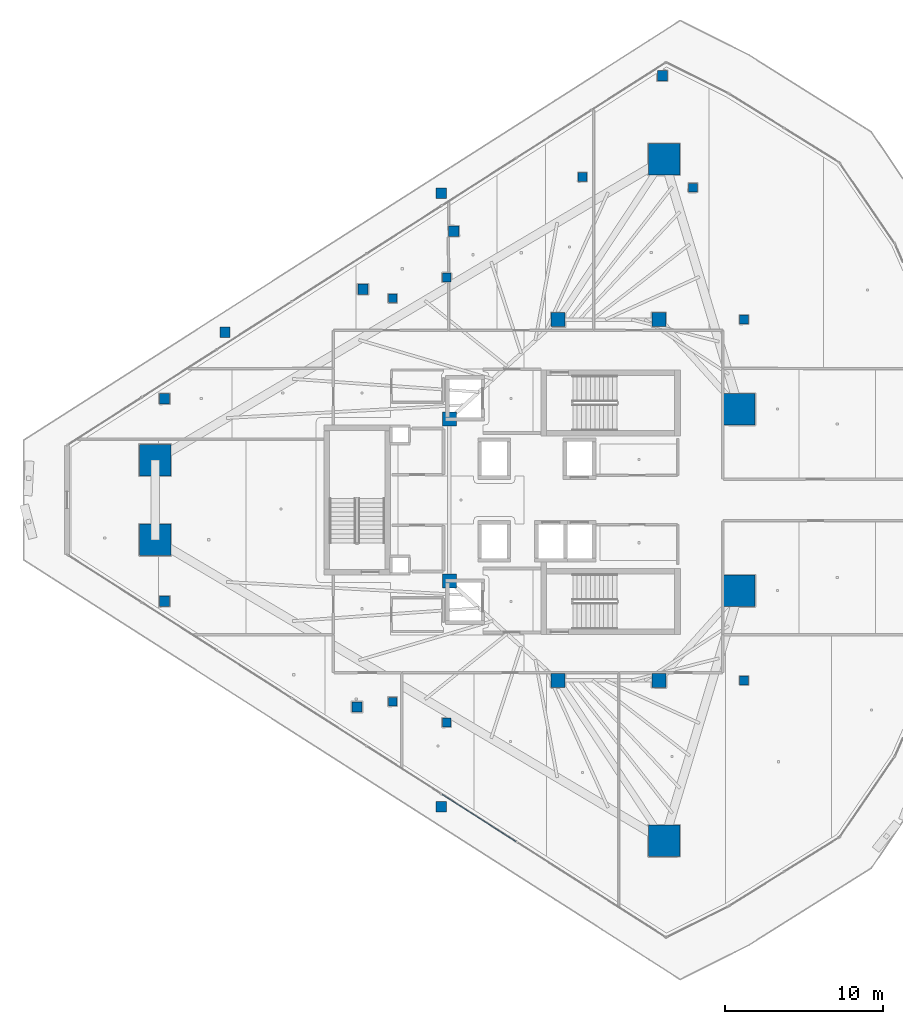
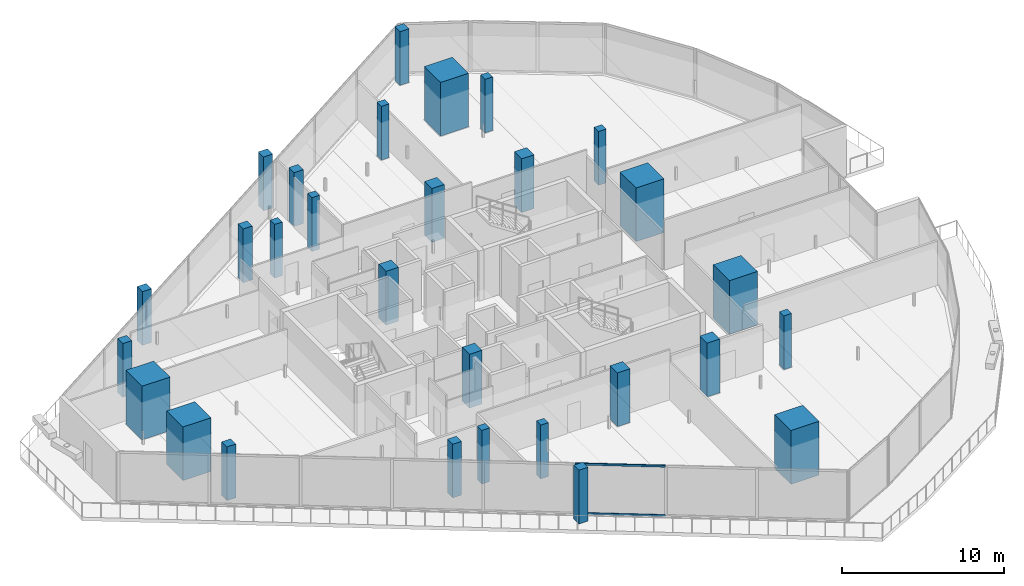
# One storey, part 1 of 37: 29 columns, 2 members, 1 element without a shape of its own.
"""IFC4 building model written with IfcOpenShell, lengths in metres."""

import ifcopenshell
import ifcopenshell.guid

model = None  # the IFC model being written
_history = None  # IfcOwnerHistory: only IFC2X3 demands one
_inside = {}  # id of a spatial element -> (the spatial element, [elements in it])
_under = {}  # id of a project, library or spatial element -> (it, [spatial elements below it])
_declared = {}  # id of a project -> (the project, [libraries it declares])
_typed = {}  # id of a type object -> (the type object, [elements of that type])
_made_of = {}  # id of a material, layer set ... -> (it, [elements and type objects made of it])


def new_model(schema):
    """Start an empty IFC model of exactly this schema.

    Asked for "IFC4X3", IfcOpenShell would pick the latest addendum, in which some entities
    have other attributes; the version numbers below select the first issue.
    IFC2X3 requires an IfcOwnerHistory on every rooted entity: one is made here for all.
    """
    global model, _history
    if schema == "IFC4X3":
        model = ifcopenshell.file(schema_version=(4, 3, 0, 0))
    else:
        model = ifcopenshell.file(schema=schema)
    _inside.clear()
    _under.clear()
    _declared.clear()
    _typed.clear()
    _made_of.clear()
    _history = None
    if model.schema == "IFC2X3":
        org = make("IfcOrganization", Name="unknown")
        user = make(
            "IfcPersonAndOrganization",
            ThePerson=make("IfcPerson", FamilyName="unknown"),
            TheOrganization=org,
        )
        app = make(
            "IfcApplication",
            ApplicationDeveloper=org,
            Version="unknown",
            ApplicationFullName="unknown",
            ApplicationIdentifier="unknown",
        )
        _history = make(
            "IfcOwnerHistory",
            OwningUser=user,
            OwningApplication=app,
            ChangeAction="ADDED",
            CreationDate=0,
        )
    return model


def make(cls, **values):
    """One entity of the class cls with the attributes given. An attribute that is None is left unset."""
    return model.create_entity(
        cls, **{name: value for name, value in values.items() if value is not None}
    )


def rooted(cls, **values):
    """An entity with a GlobalId (a new one), such as an element, a storey or a relation."""
    return make(cls, GlobalId=ifcopenshell.guid.new(), OwnerHistory=_history, **values)


def si_unit(unit_type, name, prefix=None):
    """IfcSIUnit, for example si_unit("LENGTHUNIT", "METRE", prefix="MILLI")."""
    return make("IfcSIUnit", UnitType=unit_type, Prefix=prefix, Name=name)


def assignment(units):
    """IfcUnitAssignment: the units of a project."""
    return None if units is None else make("IfcUnitAssignment", Units=units)


def point(xyz):
    """IfcCartesianPoint."""
    return None if xyz is None else make("IfcCartesianPoint", Coordinates=xyz)


def direction(xyz):
    """IfcDirection."""
    return None if xyz is None else make("IfcDirection", DirectionRatios=xyz)


def frame(location, z_axis=None, x_axis=None):
    """IfcAxis2Placement3D, a coordinate frame: its origin and axes. An axis left out is left unset."""
    return make(
        "IfcAxis2Placement3D",
        Location=point(location),
        Axis=direction(z_axis),
        RefDirection=direction(x_axis),
    )


def frame_2d(location, x_axis=None):
    """IfcAxis2Placement2D, a coordinate frame in the plane: its origin and x axis."""
    return make(
        "IfcAxis2Placement2D", Location=point(location), RefDirection=direction(x_axis)
    )


def origin():
    """The frame at (0, 0, 0) with its axes left unset."""
    return frame((0.0, 0.0, 0.0))


def origin_2d():
    """The frame at (0, 0) in the plane with its x axis left unset."""
    return frame_2d((0.0, 0.0))


def place(relative_to, where):
    """IfcLocalPlacement: puts the frame where relative to a parent placement (None: the world)."""
    return make(
        "IfcLocalPlacement", PlacementRelTo=relative_to, RelativePlacement=where
    )


def context(
    kind, dimensions, precision=None, world=None, true_north=None, identifier=None
):
    """IfcGeometricRepresentationContext, for example the 3D "Model" context."""
    return make(
        "IfcGeometricRepresentationContext",
        ContextIdentifier=identifier,
        ContextType=kind,
        CoordinateSpaceDimension=dimensions,
        Precision=precision,
        WorldCoordinateSystem=world,
        TrueNorth=true_north,
    )


def subcontext(parent, identifier, kind, view, scale=None):
    """IfcGeometricRepresentationSubContext, for example "Body" below "Model"."""
    return make(
        "IfcGeometricRepresentationSubContext",
        ContextIdentifier=identifier,
        ContextType=kind,
        ParentContext=parent,
        TargetScale=scale,
        TargetView=view,
    )


def project(units=None, contexts=None):
    """IfcProject with its units and contexts."""
    return rooted(
        "IfcProject",
        Name="project",
        RepresentationContexts=contexts,
        UnitsInContext=assignment(units),
    )


def spatial(cls, under=None, at=None, **own):
    """A site, building, storey or space (cls), placed at a placement, below another one or the project."""
    s = rooted(cls, ObjectPlacement=at, **own)
    if under is not None:
        _under.setdefault(under.id(), (under, []))[1].append(s)
    return s


def profile(cls, at=None, kind="AREA", **sizes):
    """A parametric profile (cls). Its sizes go by their IFC names, for example OverallWidth=200.0."""
    return make(cls, ProfileType=kind, Position=at, **sizes)


def rectangle(**sizes):
    """IfcRectangleProfileDef."""
    return profile("IfcRectangleProfileDef", **sizes)


def hollow_rectangle(**sizes):
    """IfcRectangleHollowProfileDef."""
    return profile("IfcRectangleHollowProfileDef", **sizes)


def extrude(swept, where, along, depth):
    """IfcExtrudedAreaSolid: the profile swept, set in the frame where, extruded along a direction by depth."""
    return make(
        "IfcExtrudedAreaSolid",
        SweptArea=swept,
        Position=where,
        ExtrudedDirection=direction(along),
        Depth=depth,
    )


def shape(context_of_items, identifier, shape_type, items):
    """IfcShapeRepresentation: the items that make up one representation, for example the "Body"."""
    return make(
        "IfcShapeRepresentation",
        ContextOfItems=context_of_items,
        RepresentationIdentifier=identifier,
        RepresentationType=shape_type,
        Items=items,
    )


def material(Name=None, Category=None):
    """IfcMaterial."""
    return make("IfcMaterial", Name=Name, Category=Category)


def layer(
    of_material, thickness, ventilated=None, Name=None, Category=None, Priority=None
):
    """IfcMaterialLayer: one layer of a wall or slab, of a material (None: an air gap)."""
    return make(
        "IfcMaterialLayer",
        Material=of_material,
        LayerThickness=thickness,
        IsVentilated=ventilated,
        Name=Name,
        Category=Category,
        Priority=Priority,
    )


def layer_set(layers, Name=None):
    """IfcMaterialLayerSet."""
    return make("IfcMaterialLayerSet", MaterialLayers=layers, LayerSetName=Name)


def material_profile(
    of_material, cross_section, Name=None, Category=None, Priority=None
):
    """IfcMaterialProfile: a cross section and its material."""
    return make(
        "IfcMaterialProfile",
        Name=Name,
        Material=of_material,
        Profile=cross_section,
        Priority=Priority,
        Category=Category,
    )


def profile_set(profiles, Name=None, composite=None):
    """IfcMaterialProfileSet."""
    return make(
        "IfcMaterialProfileSet",
        Name=Name,
        MaterialProfiles=profiles,
        CompositeProfile=composite,
    )


def made_of(thing, what):
    """Note that an element or type object is made of a material, layer set ...; save() writes the relation."""
    if what is not None:
        _made_of.setdefault(what.id(), (what, []))[1].append(thing)
    return thing


def type_object(cls, material=None, **own):
    """A type object (cls), such as IfcWallType, which elements share."""
    return made_of(rooted(cls, **own), material)


def element(
    cls,
    number,
    at=None,
    inside=None,
    cuts=None,
    type_object=None,
    material=None,
    context=None,
    identifier="Body",
    shape_type=None,
    held_by="IfcProductDefinitionShape",
    body=None,
    shapes=None,
    **own,
):
    """One element of the class cls, such as IfcWall. Its Tag is "e" and its number.

    at: its placement. inside: the storey or other place that contains it. cuts: it is an
    opening in that element (IfcRelVoidsElement). A single representation is given by context,
    identifier, shape_type and body (its items); several are given by shapes. held_by: the class
    of the entity that holds the representations. save() writes the other relations.
    """
    e = rooted(cls, Tag="e%d" % number, ObjectPlacement=at, **own)
    if body is not None:
        shapes = [shape(context, identifier, shape_type, body)]
    if shapes is not None:
        e.Representation = make(held_by, Representations=shapes)
    if inside is not None:
        _inside.setdefault(inside.id(), (inside, []))[1].append(e)
    if cuts is not None:
        rooted(
            "IfcRelVoidsElement", RelatingBuildingElement=cuts, RelatedOpeningElement=e
        )
    if type_object is not None:
        _typed.setdefault(type_object.id(), (type_object, []))[1].append(e)
    return made_of(e, material)


def aggregate(whole, parts):
    """IfcRelAggregates: a whole, such as a stair, and the parts it consists of."""
    return rooted("IfcRelAggregates", RelatingObject=whole, RelatedObjects=parts)


def save(model, path):
    """Write the relations noted so far, then the file.

    IfcRelAggregates (storeys below a building ...), IfcRelContainedInSpatialStructure (elements
    in a storey), IfcRelDefinesByType, IfcRelAssociatesMaterial and IfcRelDeclares: one each for
    every whole, place, type object, material and project.
    """
    for whole, parts in _under.values():
        aggregate(whole, parts)
    for where, things in _inside.values():
        rooted(
            "IfcRelContainedInSpatialStructure",
            RelatedElements=things,
            RelatingStructure=where,
        )
    for kind, things in _typed.values():
        rooted("IfcRelDefinesByType", RelatedObjects=things, RelatingType=kind)
    for what, things in _made_of.values():
        rooted("IfcRelAssociatesMaterial", RelatedObjects=things, RelatingMaterial=what)
    for by, libraries in _declared.values():
        rooted("IfcRelDeclares", RelatingContext=by, RelatedDefinitions=libraries)
    model.write(path)


model = new_model("IFC4")

# Units and contexts
model_context = context("Model", 3, precision=1e-05, world=origin(), true_north=direction((0.0, 1.0)))
body_context = subcontext(model_context, "Body", "Model", "MODEL_VIEW")
ifc_project = project(units=[si_unit("LENGTHUNIT", "METRE"), si_unit("AREAUNIT", "SQUARE_METRE"), si_unit("VOLUMEUNIT", "CUBIC_METRE"), si_unit("PLANEANGLEUNIT", "RADIAN"), si_unit("MASSUNIT", "GRAM", prefix="KILO")], contexts=[model_context])

# Site, building, storey
site_placement = place(None, origin())
site = spatial("IfcSite", under=ifc_project, at=site_placement, CompositionType="ELEMENT")
building_placement = place(site_placement, origin())
building = spatial("IfcBuilding", under=site, at=building_placement, Name="Qorvath Tower", CompositionType="ELEMENT")
storey_placement = place(building_placement, frame((0.0, 0.0, 196.949951171875)))
storey = spatial("IfcBuildingStorey", under=building, at=storey_placement, Name="L45", CompositionType="ELEMENT", Elevation=196.949951171875)

# Columns
ifc_material_1 = material(Name="Concrete C60/75", Category="concrete")
ifc_material_profile_1 = material_profile(ifc_material_1, rectangle(XDim=2.0, YDim=2.0, at=origin_2d()), Name="MC 2000x2000")
ifc_profile_set_1 = profile_set([ifc_material_profile_1], Name="Concrete C60/75")
column_type_1 = type_object("IfcColumnType", Name="COL-MC3", PredefinedType="COLUMN", material=ifc_profile_set_1)
for number, where, z_axis, x_axis, name in (
    (1, (-49.171875, 2.52783203125, 0.0), (0.0, 0.0, 1.0), (1.0, 0.0, 0.0), "Composite Mega-Column MC1 L45"),
    (2, (-49.171875, -2.52783203125, 0.0), (0.0, 0.0, 1.0), (1.0, 0.0, 0.0), "Composite Mega-Column MC2 L45"),
    (3, (-16.87158203125, -21.627197265625, 0.0), (0.0, 0.0, 1.0), (1.0, 0.0, 0.0), "Composite Mega-Column MC3 L45"),
    (4, (-12.0966796875, -5.7578125, 0.0), (0.0, 0.0, 1.0), (1.0, 0.0, 0.0), "Composite Mega-Column MC4 L45"),
    (5, (-12.0966796875, 5.7578125, 0.0), (0.0, 0.0, 1.0), (1.0, 0.0, 0.0), "Composite Mega-Column MC5 L45"),
    (6, (-16.87158203125, 21.627197265625, 0.0), (0.0, 0.0, 1.0), (1.0, 0.0, 0.0), "Composite Mega-Column MC6 L45"),
):
    element("IfcColumn", number, at=place(storey_placement, frame(where, z_axis=z_axis, x_axis=x_axis)), inside=storey, type_object=column_type_1, Name=name, PredefinedType="COLUMN", context=body_context, shape_type="SweptSolid", body=[
        extrude(rectangle(XDim=2.0, YDim=2.0, at=origin_2d()), origin(), (0.0, 0.0, 1.0), 4.050048828125),
    ])
ifc_material_2 = material(Name="Concrete C50/60", Category="concrete")
ifc_material_profile_2 = material_profile(ifc_material_2, rectangle(XDim=0.89990234375, YDim=0.89990234375, at=origin_2d()), Name="RC 900x900")
ifc_profile_set_2 = profile_set([ifc_material_profile_2], Name="Concrete C50/60")
column_type_2 = type_object("IfcColumnType", Name="COL-RC3", PredefinedType="COLUMN", material=ifc_profile_set_2)
for number, where, z_axis, x_axis, name in (
    (7, (-23.60009765625, 11.449951171875, 0.0), (0.0, 0.0, 1.0), (1.0, 0.0, 0.0), "Core Spine Column CC1 L45"),
    (8, (-17.199951171875, 11.449951171875, 0.0), (0.0, 0.0, 1.0), (1.0, 0.0, 0.0), "Core Spine Column CC2 L45"),
    (9, (-17.199951171875, -11.449951171875, 0.0), (0.0, 0.0, 1.0), (1.0, 0.0, 0.0), "Core Spine Column CC3 L45"),
    (10, (-23.60009765625, -11.449951171875, 0.0), (0.0, 0.0, 1.0), (1.0, 0.0, 0.0), "Core Spine Column CC4 L45"),
    (11, (-30.5, 5.14990234375, 0.0), (0.0, 0.0, 1.0), (1.0, 0.0, 0.0), "Core Spine Column CC5 L45"),
    (12, (-30.5, -5.14990234375, 0.0), (0.0, 0.0, 1.0), (1.0, 0.0, 0.0), "Core Spine Column CC6 L45"),
):
    element("IfcColumn", number, at=place(storey_placement, frame(where, z_axis=z_axis, x_axis=x_axis)), inside=storey, type_object=column_type_2, Name=name, PredefinedType="COLUMN", context=body_context, shape_type="SweptSolid", body=[
        extrude(rectangle(XDim=0.89990234375, YDim=0.89990234375, at=origin_2d()), origin(), (0.0, 0.0, 1.0), 4.050048828125),
    ])
ifc_material_3 = material(Name="Concrete C45/55", Category="concrete")
ifc_material_profile_3 = material_profile(ifc_material_3, rectangle(XDim=0.64990234375, YDim=0.64990234375, at=origin_2d()), Name="RC 650x650")
ifc_profile_set_3 = profile_set([ifc_material_profile_3], Name="Concrete C45/55")
column_type_3 = type_object("IfcColumnType", Name="COL-RC6", PredefinedType="COLUMN", material=ifc_profile_set_3)
for number, where, z_axis, x_axis, name in (
    (13, (-31.01611328125, 19.46044921875, 0.0), (0.0, 0.0, 1.0), (1.0, 0.0, 0.0), "Loggia Frame Pier Column LGD1 L45"),
    (14, (-31.01611328125, -19.46044921875, 0.0), (0.0, 0.0, 1.0), (1.0, 0.0, 0.0), "Loggia Frame Pier Column LGD2 L45"),
    (15, (-44.736328125, 10.65234375, 0.0), (0.0, 0.0, 1.0), (1.0, 0.0, 0.0), "Loggia Frame Pier Column LGD3 L45"),
    (16, (-48.578369140625, 6.424560546875, 0.0), (0.0, 0.0, 1.0), (1.0, 0.0, 0.0), "Loggia Frame Pier Column LGE1 L45"),
    (17, (-48.578369140625, -6.424560546875, 0.0), (0.0, 0.0, 1.0), (1.0, 0.0, 0.0), "Loggia Frame Pier Column LGE2 L45"),
    (18, (-16.981201171875, 26.92919921875, 0.0), (0.0, 0.0, 1.0), (1.0, 0.0, 0.0), "Loggia Frame Pier Column LGE3 L45"),
    (19, (-35.980712890625, 13.380859375, 0.0), (0.0, 0.0, 1.0), (1.0, 0.0, 0.0), "Loggia Frame Pier Column LGF1 L45"),
    (20, (-36.36474609375, -13.135498046875, 0.0), (0.0, 0.0, 1.0), (1.0, 0.0, 0.0), "Loggia Frame Pier Column LGF2 L45"),
    (21, (-30.224853515625, 17.0595703125, 0.0), (0.0, 0.0, 1.0), (1.0, 0.0, 0.0), "Loggia Frame Pier Column LGF3 L45"),
):
    element("IfcColumn", number, at=place(storey_placement, frame(where, z_axis=z_axis, x_axis=x_axis)), inside=storey, type_object=column_type_3, Name=name, PredefinedType="COLUMN", context=body_context, shape_type="SweptSolid", body=[
        extrude(rectangle(XDim=0.64990234375, YDim=0.64990234375, at=origin_2d()), origin(), (0.0, 0.0, 1.0), 4.050048828125),
    ])
ifc_material_4 = material(Name="Concrete C45/55", Category="concrete")
ifc_material_profile_4 = material_profile(ifc_material_4, rectangle(XDim=0.550048828125, YDim=0.550048828125, at=origin_2d()), Name="RC 550x550")
ifc_profile_set_4 = profile_set([ifc_material_profile_4], Name="Concrete C45/55")
column_type_4 = type_object("IfcColumnType", Name="COL-RC7", PredefinedType="COLUMN", material=ifc_profile_set_4)
for number, where, z_axis, x_axis, name in (
    (22, (-34.104248046875, 12.79248046875, 0.0), (0.0, 0.0, 1.0), (1.0, 0.0, 0.0), "Loggia Frame Pier Column LGG1 L45"),
    (23, (-34.104248046875, -12.79248046875, 0.0), (0.0, 0.0, 1.0), (1.0, 0.0, 0.0), "Loggia Frame Pier Column LGG2 L45"),
    (24, (-22.05322265625, 20.494873046875, 0.0), (0.0, 0.0, 1.0), (1.0, 0.0, 0.0), "Loggia Frame Pier Column LGG3 L45"),
    (25, (-30.67724609375, 14.124267578125, 0.0), (0.0, 0.0, 1.0), (1.0, 0.0, 0.0), "Loggia Frame Pier Column LGH1 L45"),
    (26, (-30.67724609375, -14.124267578125, 0.0), (0.0, 0.0, 1.0), (1.0, 0.0, 0.0), "Loggia Frame Pier Column LGH2 L45"),
    (27, (-15.046142578125, 19.818115234375, 0.0), (0.0, 0.0, 1.0), (1.0, 0.0, 0.0), "Loggia Frame Pier Column LGH3 L45"),
    (28, (-11.800048828125, -11.449951171875, 0.0), (0.0, 0.0, 1.0), (1.0, 0.0, 0.0), "Central Slot Jamb Column SC1 L45"),
    (29, (-11.800048828125, 11.449951171875, 0.0), (0.0, 0.0, 1.0), (1.0, 0.0, 0.0), "Central Slot Jamb Column SC2 L45"),
):
    element("IfcColumn", number, at=place(storey_placement, frame(where, z_axis=z_axis, x_axis=x_axis)), inside=storey, type_object=column_type_4, Name=name, PredefinedType="COLUMN", context=body_context, shape_type="SweptSolid", body=[
        extrude(rectangle(XDim=0.550048828125, YDim=0.550048828125, at=origin_2d()), origin(), (0.0, 0.0, 1.0), 4.050048828125),
    ])

# Curtain wall, members
ifc_material_5 = material(Name="Anodised aluminium and triple low-E glass", Category="aluminium")
ifc_layer = layer(ifc_material_5, 0.179931640625)
ifc_layer_set = layer_set([ifc_layer], Name="CW-SYS-3")
curtain_wall_type = type_object("IfcCurtainWallType", Name="CW-SYS-3", PredefinedType="NOTDEFINED", material=ifc_layer_set)
curtain_wall_placement = place(storey_placement, origin())
curtain_wall = element("IfcCurtainWall", 30, at=curtain_wall_placement, inside=storey, type_object=curtain_wall_type, Name="Curtain Wall CW-3 CW-T-L45-2.1", PredefinedType="NOTDEFINED")
ifc_material_6 = material(Name="Anodised aluminium 6063-T6", Category="aluminium")
ifc_material_profile_5 = material_profile(ifc_material_6, hollow_rectangle(XDim=0.06494140625, YDim=0.159912109375, WallThickness=0.00341796875, InnerFilletRadius=0.00341796875, OuterFilletRadius=0.007080078125, at=origin_2d()), Name="CWT 160x65")
ifc_profile_set_5 = profile_set([ifc_material_profile_5], Name="Anodised aluminium 6063-T6")
member_type = type_object("IfcMemberType", Name="CWT-160", PredefinedType="USERDEFINED", material=ifc_profile_set_5)
member_1_placement = place(storey_placement, frame((-30.972900390625, -18.67626953125, 0.032470703125), z_axis=(0.842606844645, -0.538529205667, 0.0), x_axis=(0.538529205667, 0.842606844645, 0.0)))
member_1 = element("IfcMember", 31, at=member_1_placement, type_object=member_type, Name="CW-3 transom 6.1", ObjectType="TRANSOM", PredefinedType="USERDEFINED", context=body_context, shape_type="SweptSolid", body=[
    extrude(hollow_rectangle(XDim=0.06494140625, YDim=0.159912109375, WallThickness=0.00341796875, InnerFilletRadius=0.00341796875, OuterFilletRadius=0.007080078125, at=origin_2d()), origin(), (0.0, 0.0, 1.0), 5.5751953125),
])
member_2_placement = place(storey_placement, frame((-30.972900390625, -18.67626953125, 3.74755859375), z_axis=(0.842606844645, -0.538529205667, 0.0), x_axis=(0.538529205667, 0.842606844645, 0.0)))
member_2 = element("IfcMember", 32, at=member_2_placement, type_object=member_type, Name="CW-3 transom 6.2", ObjectType="TRANSOM", PredefinedType="USERDEFINED", context=body_context, shape_type="SweptSolid", body=[
    extrude(hollow_rectangle(XDim=0.06494140625, YDim=0.159912109375, WallThickness=0.00341796875, InnerFilletRadius=0.00341796875, OuterFilletRadius=0.007080078125, at=origin_2d()), origin(), (0.0, 0.0, 1.0), 5.5751953125),
])
aggregate(curtain_wall, [member_1, member_2])

save(model, "model.ifc")
